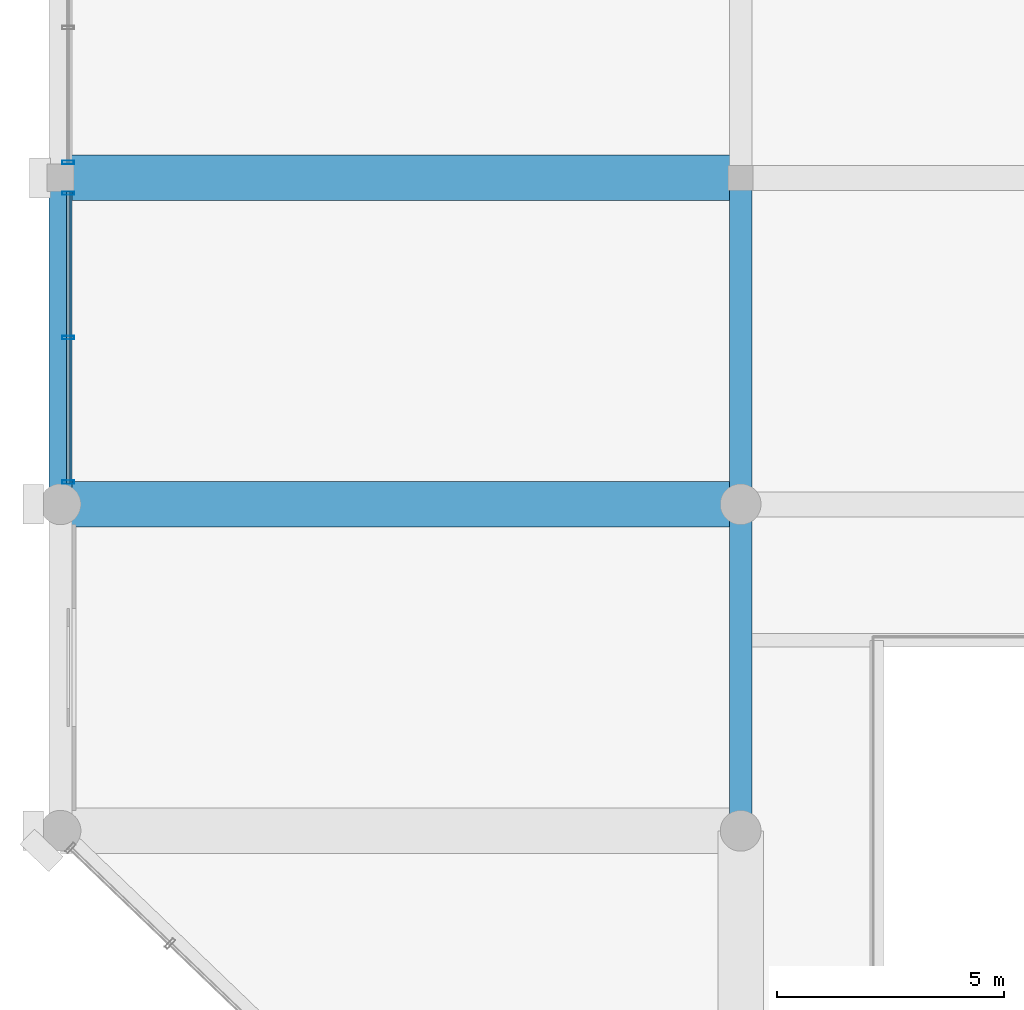
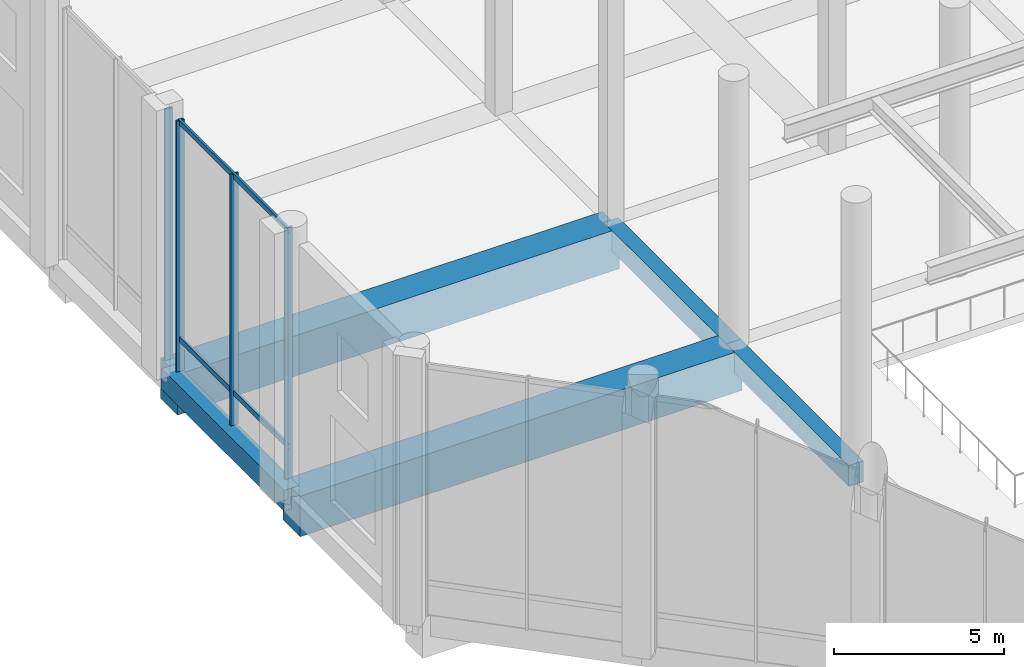
# One storey, part 12 of 80: 6 members, 5 beams, 2 elements without a shape of their own.
"""IFC4 building model written with IfcOpenShell, lengths in metres."""

from ifc_helpers import new_model, si_unit, direction, frame, origin, origin_2d, place, context, subcontext, project, spatial, rectangle, hollow_rectangle, extrude, material, material_profile, profile_set, type_object, element, aggregate, save


model = new_model("IFC4")

# Units and contexts
model_context = context("Model", 3, precision=1e-05, world=origin(), true_north=direction((0.0, 1.0)))
body_context = subcontext(model_context, "Body", "Model", "MODEL_VIEW")
ifc_project = project(units=[si_unit("LENGTHUNIT", "METRE"), si_unit("AREAUNIT", "SQUARE_METRE"), si_unit("VOLUMEUNIT", "CUBIC_METRE"), si_unit("PLANEANGLEUNIT", "RADIAN"), si_unit("MASSUNIT", "GRAM", prefix="KILO")], contexts=[model_context])

# Site, building, storey
site_placement = place(None, origin())
site = spatial("IfcSite", under=ifc_project, at=site_placement, CompositionType="ELEMENT")
building_placement = place(site_placement, origin())
building = spatial("IfcBuilding", under=site, at=building_placement, Name="Akrevak Sports Hall", CompositionType="ELEMENT")
storey_placement = place(building_placement, frame((0.0, 0.0, 14.0)))
storey = spatial("IfcBuildingStorey", under=building, at=storey_placement, Name="L03", CompositionType="ELEMENT", Elevation=14.0)

# Curtain wall, members
ifc_material_1 = material(Name="Anodized Bronze Aluminium & Low-E Glass", Category="aluminium")
curtain_wall_type = type_object("IfcCurtainWallType", Name="ARC-CW-POD-64x94", PredefinedType="NOTDEFINED", material=ifc_material_1)
curtain_wall_1_placement = place(storey_placement, origin())
curtain_wall_1 = element("IfcCurtainWall", 1, at=curtain_wall_1_placement, inside=storey, type_object=curtain_wall_type, Name="Curtain Wall CW-L03-W02", PredefinedType="NOTDEFINED")
ifc_material_2 = material(Name="Anodized Bronze Aluminium", Category="aluminium")
ifc_material_profile_1 = material_profile(ifc_material_2, hollow_rectangle(XDim=0.074951171875, YDim=0.260009765625, WallThickness=0.0048828125, at=origin_2d()), Name="CWM 75x260", Category="aluminium")
ifc_profile_set_1 = profile_set([ifc_material_profile_1], Name="Anodized Bronze Aluminium")
member_type_1 = type_object("IfcMemberType", Name="ARC-CWM-80x180", PredefinedType="MULLION", material=ifc_profile_set_1)
member_1_placement = place(storey_placement, frame((0.169921875, 28.4599609375, 0.0), z_axis=(0.0, 0.0, 1.0), x_axis=(0.0, -1.0, 0.0)))
member_1 = element("IfcMember", 2, at=member_1_placement, type_object=member_type_1, Name="Curtain Wall Mullion CW-L03-W02-M1", PredefinedType="MULLION", context=body_context, shape_type="SweptSolid", body=[
    extrude(hollow_rectangle(XDim=0.074951171875, YDim=0.260009765625, WallThickness=0.0048828125, at=origin_2d()), origin(), (0.0, 0.0, 1.0), 9.0),
])
member_2_placement = place(storey_placement, frame((0.169921875, 25.27490234375, 0.0), z_axis=(0.0, 0.0, 1.0), x_axis=(0.0, -1.0, 0.0)))
member_2 = element("IfcMember", 3, at=member_2_placement, type_object=member_type_1, Name="Curtain Wall Mullion CW-L03-W02-M2", PredefinedType="MULLION", context=body_context, shape_type="SweptSolid", body=[
    extrude(hollow_rectangle(XDim=0.074951171875, YDim=0.260009765625, WallThickness=0.0048828125, at=origin_2d()), origin(), (0.0, 0.0, 1.0), 9.0),
])
member_3_placement = place(storey_placement, frame((0.169921875, 22.090087890625, 0.0), z_axis=(0.0, 0.0, 1.0), x_axis=(0.0, -1.0, 0.0)))
member_3 = element("IfcMember", 4, at=member_3_placement, type_object=member_type_1, Name="Curtain Wall Mullion CW-L03-W02-M3", PredefinedType="MULLION", context=body_context, shape_type="SweptSolid", body=[
    extrude(hollow_rectangle(XDim=0.074951171875, YDim=0.260009765625, WallThickness=0.0048828125, at=origin_2d()), origin(), (0.0, 0.0, 1.0), 9.0),
])

# Curtain wall, member
curtain_wall_2_placement = place(storey_placement, origin())
curtain_wall_2 = element("IfcCurtainWall", 5, at=curtain_wall_2_placement, inside=storey, type_object=curtain_wall_type, Name="Curtain Wall CW-L03-W03", PredefinedType="NOTDEFINED")
member_4_placement = place(storey_placement, frame((0.169921875, 29.139892578125, 0.0), z_axis=(0.0, 0.0, 1.0), x_axis=(0.0, -1.0, 0.0)))
member_4 = element("IfcMember", 6, at=member_4_placement, type_object=member_type_1, Name="Curtain Wall Mullion CW-L03-W03-M3", PredefinedType="MULLION", context=body_context, shape_type="SweptSolid", body=[
    extrude(hollow_rectangle(XDim=0.074951171875, YDim=0.260009765625, WallThickness=0.0048828125, at=origin_2d()), origin(), (0.0, 0.0, 1.0), 9.0),
])
aggregate(curtain_wall_2, [member_4])

# Member
ifc_material_profile_2 = material_profile(ifc_material_2, hollow_rectangle(XDim=0.074951171875, YDim=0.18994140625, WallThickness=0.00439453125, at=origin_2d()), Name="CWT 75x190", Category="aluminium")
ifc_profile_set_2 = profile_set([ifc_material_profile_2], Name="Anodized Bronze Aluminium")
member_type_2 = type_object("IfcMemberType", Name="ARC-CWT-80x150", PredefinedType="USERDEFINED", material=ifc_profile_set_2)
member_5_placement = place(storey_placement, frame((0.169921875, 28.5, 1.14990234375), z_axis=(0.0, -1.0, 0.0), x_axis=(1.0, 0.0, 0.0)))
member_5 = element("IfcMember", 7, at=member_5_placement, type_object=member_type_2, Name="Curtain Wall Transom CW-L03-W02-T1", ObjectType="TRANSOM", PredefinedType="USERDEFINED", context=body_context, shape_type="SweptSolid", body=[
    extrude(hollow_rectangle(XDim=0.074951171875, YDim=0.18994140625, WallThickness=0.00439453125, at=origin_2d()), origin(), (0.0, 0.0, 1.0), 6.449951171875),
])

member_6_placement = place(storey_placement, frame((0.169921875, 28.5, 8.919921875), z_axis=(0.0, -1.0, 0.0), x_axis=(1.0, 0.0, 0.0)))
member_6 = element("IfcMember", 8, at=member_6_placement, type_object=member_type_2, Name="Curtain Wall Transom CW-L03-W02-T2", ObjectType="TRANSOM", PredefinedType="USERDEFINED", context=body_context, shape_type="SweptSolid", body=[
    extrude(hollow_rectangle(XDim=0.074951171875, YDim=0.18994140625, WallThickness=0.00439453125, at=origin_2d()), origin(), (0.0, 0.0, 1.0), 6.449951171875),
])

aggregate(curtain_wall_1, [member_1, member_2, member_3, member_5, member_6])

# Beams
ifc_material_3 = material(Name="Concrete C50/60", Category="concrete")
ifc_material_profile_3 = material_profile(ifc_material_3, rectangle(XDim=1.0, YDim=1.449951171875, at=origin_2d()), Name="BM 1000x1450", Category="concrete")
ifc_profile_set_3 = profile_set([ifc_material_profile_3], Name="Concrete C50/60")
beam_type_1 = type_object("IfcBeamType", Name="STR-BM-LG1000x1450", PredefinedType="BEAM", material=ifc_profile_set_3)
for number, where, z_axis, x_axis, name in (
    (9, (0.0, 21.60009765625, -0.72509765625), (1.0, 0.0, 0.0), (0.0, 1.0, 0.0), "Girder D/1-3 (L03)"),
    (10, (0.0, 28.800048828125, -0.72509765625), (1.0, 0.0, 0.0), (0.0, 1.0, 0.0), "Girder E/1-3 (L03)"),
):
    element("IfcBeam", number, at=place(storey_placement, frame(where, z_axis=z_axis, x_axis=x_axis)), inside=storey, type_object=beam_type_1, Name=name, PredefinedType="BEAM", context=body_context, shape_type="SweptSolid", body=[
        extrude(rectangle(XDim=1.0, YDim=1.449951171875, at=origin_2d()), origin(), (0.0, 0.0, 1.0), 15.0),
    ])
ifc_material_4 = material(Name="Concrete C40/50", Category="concrete")
ifc_material_profile_4 = material_profile(ifc_material_4, rectangle(XDim=0.5, YDim=0.75, at=origin_2d()), Name="BM 500x750", Category="concrete")
ifc_profile_set_4 = profile_set([ifc_material_profile_4], Name="Concrete C40/50")
beam_type_2 = type_object("IfcBeamType", Name="STR-BM-RC500x750", PredefinedType="BEAM", material=ifc_profile_set_4)
beam_1_placement = place(storey_placement, frame((0.0, 21.60009765625, -0.375), z_axis=(0.0, 1.0, 0.0), x_axis=(-1.0, 0.0, 0.0)))
element("IfcBeam", 11, at=beam_1_placement, inside=storey, type_object=beam_type_2, Name="Girder 1/D-E (L03)", PredefinedType="BEAM", context=body_context, shape_type="SweptSolid", body=[
    extrude(rectangle(XDim=0.5, YDim=0.75, at=origin_2d()), origin(), (0.0, 0.0, 1.0), 7.199951171875),
])
beam_2_placement = place(storey_placement, frame((15.0, 14.39990234375, -0.375), z_axis=(0.0, 1.0, 0.0), x_axis=(-1.0, 0.0, 0.0)))
element("IfcBeam", 12, at=beam_2_placement, inside=storey, type_object=beam_type_2, Name="Girder 3/C-D (L03)", PredefinedType="BEAM", context=body_context, shape_type="SweptSolid", body=[
    extrude(rectangle(XDim=0.5, YDim=0.75, at=origin_2d()), origin(), (0.0, 0.0, 1.0), 7.2001953125),
])
beam_3_placement = place(storey_placement, frame((15.0, 21.60009765625, -0.375), z_axis=(0.0, 1.0, 0.0), x_axis=(-1.0, 0.0, 0.0)))
element("IfcBeam", 13, at=beam_3_placement, inside=storey, type_object=beam_type_2, Name="Girder 3/D-E (L03)", PredefinedType="BEAM", context=body_context, shape_type="SweptSolid", body=[
    extrude(rectangle(XDim=0.5, YDim=0.75, at=origin_2d()), origin(), (0.0, 0.0, 1.0), 7.199951171875),
])

save(model, "model.ifc")
